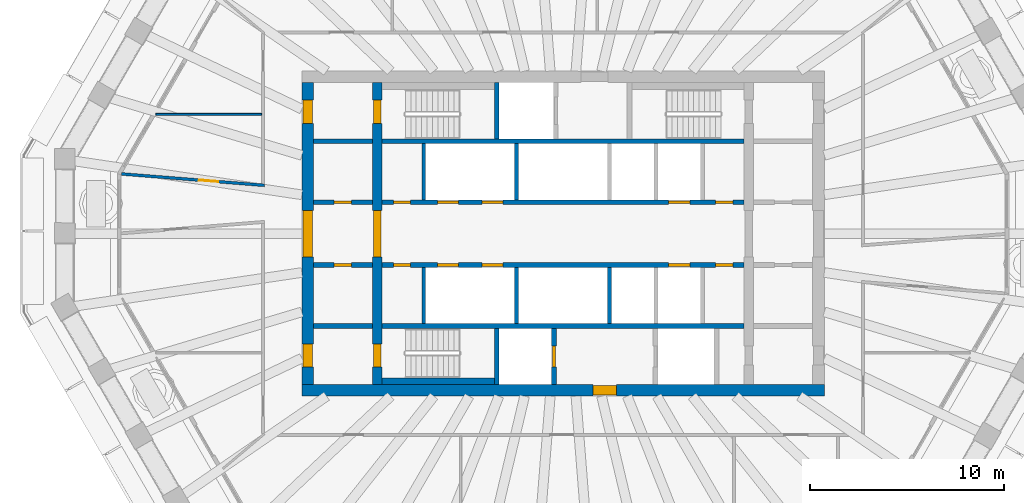
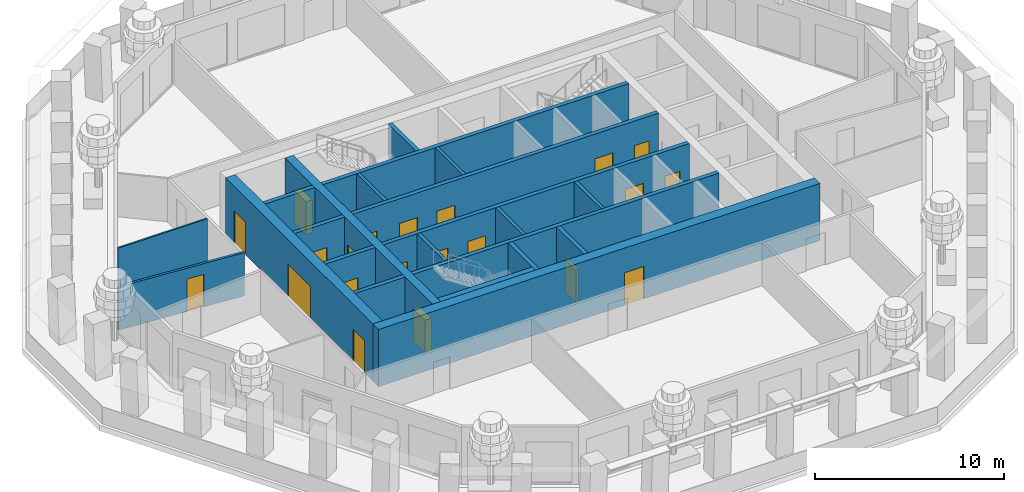
# One storey, part 4 of 12: 22 walls, 21 doors, 21 openings.
"""IFC4 building model written with IfcOpenShell, lengths in metres."""

from ifc_helpers import new_model, si_unit, direction, frame, frame_2d, origin, place, context, subcontext, project, spatial, rectangle, extrude, material, layer, layer_set, type_object, element, fill, save


model = new_model("IFC4")

# Units and contexts
model_context = context("Model", 3, precision=1e-05, world=origin(), true_north=direction((0.0, 1.0)))
body_context = subcontext(model_context, "Body", "Model", "MODEL_VIEW")
ifc_project = project(units=[si_unit("LENGTHUNIT", "METRE"), si_unit("AREAUNIT", "SQUARE_METRE"), si_unit("VOLUMEUNIT", "CUBIC_METRE"), si_unit("PLANEANGLEUNIT", "RADIAN"), si_unit("MASSUNIT", "GRAM", prefix="KILO")], contexts=[model_context])

# Site, building, storey
site_placement = place(None, origin())
site = spatial("IfcSite", under=ifc_project, at=site_placement, CompositionType="ELEMENT")
building_placement = place(site_placement, origin())
building = spatial("IfcBuilding", under=site, at=building_placement, Name="Frailejon Research Tower", CompositionType="ELEMENT")
storey_placement = place(building_placement, frame((0.0, 0.0, 211.39990234375)))
storey = spatial("IfcBuildingStorey", under=building, at=storey_placement, Name="L45", CompositionType="ELEMENT", Elevation=211.39990234375)

# Wall, openings, doors
ifc_material_1 = material(Name="Concrete C60/75", Category="concrete")
ifc_layer_1 = layer(ifc_material_1, 0.5)
ifc_layer_set_1 = layer_set([ifc_layer_1], Name="Core shear wall 500 C60/75")
wall_type_1 = type_object("IfcWallType", Name="Core shear wall 500 C60/75", PredefinedType="SHEAR", material=ifc_layer_set_1)
wall_1_placement = place(storey_placement, frame((-9.60009765625, -7.800048828125, 0.0), z_axis=(0.0, 0.0, 1.0), x_axis=(0.0, 1.0, 0.0)))
wall_1 = element("IfcWall", 1, at=wall_1_placement, inside=storey, type_object=wall_type_1, Name="Core shear wall", PredefinedType="SHEAR", context=body_context, shape_type="SweptSolid", body=[
    extrude(rectangle(XDim=15.60009765625, YDim=0.5, at=frame_2d((7.800048828125, 0.0))), origin(), (0.0, 0.0, 1.0), 3.7001953125),
])
opening_1_placement = place(wall_1_placement, frame((6.60009765625, 0.0, 0.0)))
opening_1 = element("IfcOpeningElement", 2, at=opening_1_placement, cuts=wall_1, Name="Opening D2", PredefinedType="OPENING", context=body_context, shape_type="SweptSolid", body=[
    extrude(rectangle(XDim=2.39990234375, YDim=2.10009765625, at=frame_2d((1.199951171875, 1.050048828125))), frame((0.0, 0.260009765625, 0.0), z_axis=(0.0, -1.0, 0.0), x_axis=(1.0, 0.0, 0.0)), (0.0, 0.0, 1.0), 0.52001953125),
])
opening_2_placement = place(wall_1_placement, frame((13.5, 0.0, 0.0)))
opening_2 = element("IfcOpeningElement", 3, at=opening_2_placement, cuts=wall_1, Name="Opening D1", PredefinedType="OPENING", context=body_context, shape_type="SweptSolid", body=[
    extrude(rectangle(XDim=1.199951171875, YDim=2.10009765625, at=frame_2d((0.60009765625, 1.050048828125))), frame((0.0, 0.260009765625, 0.0), z_axis=(0.0, -1.0, 0.0), x_axis=(1.0, 0.0, 0.0)), (0.0, 0.0, 1.0), 0.52001953125),
])
opening_3_placement = place(wall_1_placement, frame((0.89990234375, 0.0, 0.0)))
opening_3 = element("IfcOpeningElement", 4, at=opening_3_placement, cuts=wall_1, Name="Opening D1", PredefinedType="OPENING", context=body_context, shape_type="SweptSolid", body=[
    extrude(rectangle(XDim=1.199951171875, YDim=2.10009765625, at=frame_2d((0.60009765625, 1.050048828125))), frame((0.0, 0.260009765625, 0.0), z_axis=(0.0, -1.0, 0.0), x_axis=(1.0, 0.0, 0.0)), (0.0, 0.0, 1.0), 0.52001953125),
])
ifc_material_2 = material(Name="Steel", Category="steel")
door_type_1 = type_object("IfcDoorType", Name="Lobby double door", OperationType="DOUBLE_DOOR_SINGLE_SWING", PredefinedType="DOOR", material=ifc_material_2)
door_1_placement = place(opening_1_placement, origin())
door_1 = element("IfcDoor", 5, at=door_1_placement, inside=storey, type_object=door_type_1, Name="Lobby door", OperationType="DOUBLE_DOOR_SINGLE_SWING", OverallHeight=2.10009765625, OverallWidth=2.39990234375, PredefinedType="DOOR", context=body_context, shape_type="SweptSolid", body=[
    extrude(rectangle(XDim=2.39990234375, YDim=2.10009765625, at=frame_2d((1.199951171875, 1.050048828125))), frame((0.0, 0.199951171875, 0.0), z_axis=(0.0, -1.0, 0.0), x_axis=(1.0, 0.0, 0.0)), (0.0, 0.0, 1.0), 0.39990234375),
])
fill(opening_1, door_1)
ifc_material_3 = material(Name="Steel", Category="steel")
door_type_2 = type_object("IfcDoorType", Name="Stair door", OperationType="SINGLE_SWING_LEFT", PredefinedType="DOOR", material=ifc_material_3)
door_2_placement = place(opening_2_placement, origin())
door_2 = element("IfcDoor", 6, at=door_2_placement, inside=storey, type_object=door_type_2, Name="Stair door ST1", OperationType="SINGLE_SWING_RIGHT", OverallHeight=2.10009765625, OverallWidth=1.199951171875, PredefinedType="DOOR", context=body_context, shape_type="SweptSolid", body=[
    extrude(rectangle(XDim=1.199951171875, YDim=2.10009765625, at=frame_2d((0.60009765625, 1.050048828125))), frame((0.0, 0.199951171875, 0.0), z_axis=(0.0, -1.0, 0.0), x_axis=(1.0, 0.0, 0.0)), (0.0, 0.0, 1.0), 0.39990234375),
])
fill(opening_2, door_2)
door_3_placement = place(opening_3_placement, origin())
door_3 = element("IfcDoor", 7, at=door_3_placement, inside=storey, type_object=door_type_2, Name="Stair door ST2", OperationType="SINGLE_SWING_RIGHT", OverallHeight=2.10009765625, OverallWidth=1.199951171875, PredefinedType="DOOR", context=body_context, shape_type="SweptSolid", body=[
    extrude(rectangle(XDim=1.199951171875, YDim=2.10009765625, at=frame_2d((0.60009765625, 1.050048828125))), frame((0.0, 0.199951171875, 0.0), z_axis=(0.0, -1.0, 0.0), x_axis=(1.0, 0.0, 0.0)), (0.0, 0.0, 1.0), 0.39990234375),
])
fill(opening_3, door_3)

# Wall, opening, door
ifc_material_4 = material(Name="Concrete C60/75", Category="concrete")
ifc_layer_2 = layer(ifc_material_4, 0.60009765625)
ifc_layer_set_2 = layer_set([ifc_layer_2], Name="Core shear wall 600 C60/75")
wall_type_2 = type_object("IfcWallType", Name="Core shear wall 600 C60/75", PredefinedType="SHEAR", material=ifc_layer_set_2)
wall_2_placement = place(storey_placement, frame((-13.5, -8.10009765625, 0.0), z_axis=(0.0, 0.0, 1.0), x_axis=(1.0, 0.0, 0.0)))
wall_2 = element("IfcWall", 8, at=wall_2_placement, inside=storey, type_object=wall_type_2, Name="Core shear wall", PredefinedType="SHEAR", context=body_context, shape_type="SweptSolid", body=[
    extrude(rectangle(XDim=27.0, YDim=0.60009765625, at=frame_2d((13.5, 0.0))), origin(), (0.0, 0.0, 1.0), 3.7001953125),
])
opening_4_placement = place(wall_2_placement, frame((15.050048828125, 0.0, 0.0)))
opening_4 = element("IfcOpeningElement", 9, at=opening_4_placement, cuts=wall_2, Name="Opening D3", PredefinedType="OPENING", context=body_context, shape_type="SweptSolid", body=[
    extrude(rectangle(XDim=1.199951171875, YDim=2.10009765625, at=frame_2d((0.60009765625, 1.050048828125))), frame((0.0, 0.31005859375, 0.0), z_axis=(0.0, -1.0, 0.0), x_axis=(1.0, 0.0, 0.0)), (0.0, 0.0, 1.0), 0.6201171875),
])
ifc_material_5 = material(Name="Steel", Category="steel")
door_type_3 = type_object("IfcDoorType", Name="Firefighting lobby door", OperationType="SINGLE_SWING_LEFT", PredefinedType="DOOR", material=ifc_material_5)
door_4_placement = place(opening_4_placement, origin())
door_4 = element("IfcDoor", 10, at=door_4_placement, inside=storey, type_object=door_type_3, Name="Firefighting lobby door", OperationType="SINGLE_SWING_RIGHT", OverallHeight=2.10009765625, OverallWidth=1.199951171875, PredefinedType="DOOR", context=body_context, shape_type="SweptSolid", body=[
    extrude(rectangle(XDim=1.199951171875, YDim=2.10009765625, at=frame_2d((0.60009765625, 1.050048828125))), frame((0.0, 0.25, 0.0), z_axis=(0.0, -1.0, 0.0), x_axis=(1.0, 0.0, 0.0)), (0.0, 0.0, 1.0), 0.5),
])
fill(opening_4, door_4)

# Wall, openings, doors
wall_3_placement = place(storey_placement, frame((-13.199951171875, -7.800048828125, 0.0), z_axis=(0.0, 0.0, 1.0), x_axis=(0.0, 1.0, 0.0)))
wall_3 = element("IfcWall", 11, at=wall_3_placement, inside=storey, type_object=wall_type_2, Name="Core shear wall", PredefinedType="SHEAR", context=body_context, shape_type="SweptSolid", body=[
    extrude(rectangle(XDim=15.60009765625, YDim=0.60009765625, at=frame_2d((7.800048828125, 0.0))), origin(), (0.0, 0.0, 1.0), 3.7001953125),
])
opening_5_placement = place(wall_3_placement, frame((6.60009765625, 0.0, 0.0)))
opening_5 = element("IfcOpeningElement", 12, at=opening_5_placement, cuts=wall_3, Name="Opening D2", PredefinedType="OPENING", context=body_context, shape_type="SweptSolid", body=[
    extrude(rectangle(XDim=2.39990234375, YDim=2.10009765625, at=frame_2d((1.199951171875, 1.050048828125))), frame((0.0, 0.31005859375, 0.0), z_axis=(0.0, -1.0, 0.0), x_axis=(1.0, 0.0, 0.0)), (0.0, 0.0, 1.0), 0.6201171875),
])
opening_6_placement = place(wall_3_placement, frame((13.5, 0.0, 0.0)))
opening_6 = element("IfcOpeningElement", 13, at=opening_6_placement, cuts=wall_3, Name="Opening D7", PredefinedType="OPENING", context=body_context, shape_type="SweptSolid", body=[
    extrude(rectangle(XDim=1.199951171875, YDim=2.10009765625, at=frame_2d((0.60009765625, 1.050048828125))), frame((0.0, 0.31005859375, 0.0), z_axis=(0.0, -1.0, 0.0), x_axis=(1.0, 0.0, 0.0)), (0.0, 0.0, 1.0), 0.6201171875),
])
opening_7_placement = place(wall_3_placement, frame((0.89990234375, 0.0, 0.0)))
opening_7 = element("IfcOpeningElement", 14, at=opening_7_placement, cuts=wall_3, Name="Opening D7", PredefinedType="OPENING", context=body_context, shape_type="SweptSolid", body=[
    extrude(rectangle(XDim=1.199951171875, YDim=2.10009765625, at=frame_2d((0.60009765625, 1.050048828125))), frame((0.0, 0.31005859375, 0.0), z_axis=(0.0, -1.0, 0.0), x_axis=(1.0, 0.0, 0.0)), (0.0, 0.0, 1.0), 0.6201171875),
])
door_5_placement = place(opening_5_placement, origin())
door_5 = element("IfcDoor", 15, at=door_5_placement, inside=storey, type_object=door_type_1, Name="Lobby door", OperationType="DOUBLE_DOOR_SINGLE_SWING", OverallHeight=2.10009765625, OverallWidth=2.39990234375, PredefinedType="DOOR", context=body_context, shape_type="SweptSolid", body=[
    extrude(rectangle(XDim=2.39990234375, YDim=2.10009765625, at=frame_2d((1.199951171875, 1.050048828125))), frame((0.0, 0.25, 0.0), z_axis=(0.0, -1.0, 0.0), x_axis=(1.0, 0.0, 0.0)), (0.0, 0.0, 1.0), 0.5),
])
fill(opening_5, door_5)
ifc_material_6 = material(Name="Steel", Category="steel")
door_type_4 = type_object("IfcDoorType", Name="Stair exit door", OperationType="SINGLE_SWING_LEFT", PredefinedType="DOOR", material=ifc_material_6)
door_6_placement = place(opening_6_placement, origin())
door_6 = element("IfcDoor", 16, at=door_6_placement, inside=storey, type_object=door_type_4, Name="Stair exit door ST1", OperationType="SINGLE_SWING_LEFT", OverallHeight=2.10009765625, OverallWidth=1.199951171875, PredefinedType="DOOR", context=body_context, shape_type="SweptSolid", body=[
    extrude(rectangle(XDim=1.199951171875, YDim=2.10009765625, at=frame_2d((0.60009765625, 1.050048828125))), frame((0.0, 0.25, 0.0), z_axis=(0.0, -1.0, 0.0), x_axis=(1.0, 0.0, 0.0)), (0.0, 0.0, 1.0), 0.5),
])
fill(opening_6, door_6)
door_7_placement = place(opening_7_placement, origin())
door_7 = element("IfcDoor", 17, at=door_7_placement, inside=storey, type_object=door_type_4, Name="Stair exit door ST2", OperationType="SINGLE_SWING_LEFT", OverallHeight=2.10009765625, OverallWidth=1.199951171875, PredefinedType="DOOR", context=body_context, shape_type="SweptSolid", body=[
    extrude(rectangle(XDim=1.199951171875, YDim=2.10009765625, at=frame_2d((0.60009765625, 1.050048828125))), frame((0.0, 0.25, 0.0), z_axis=(0.0, -1.0, 0.0), x_axis=(1.0, 0.0, 0.0)), (0.0, 0.0, 1.0), 0.5),
])
fill(opening_7, door_7)

# Wall, opening, door
ifc_material_7 = material(Name="Gypsum board and masonry partition", Category="masonry")
ifc_layer_3 = layer(ifc_material_7, 0.14990234375)
ifc_layer_set_3 = layer_set([ifc_layer_3], Name="Corridor wall EI 60, gypsum on steel studs 150")
wall_type_3 = type_object("IfcWallType", Name="Corridor wall EI 60, gypsum on steel studs 150", PredefinedType="PARTITIONING", material=ifc_layer_set_3)
wall_4_placement = place(storey_placement, frame((-22.813720703125, 3.085693359375, 0.0), z_axis=(0.0, 0.0, 1.0), x_axis=(0.996825847875, -0.079612995219, 0.0)))
wall_4 = element("IfcWall", 18, at=wall_4_placement, inside=storey, type_object=wall_type_3, Name="T:IW:L45:007", PredefinedType="PARTITIONING", context=body_context, shape_type="SweptSolid", body=[
    extrude(rectangle(XDim=7.411865234375, YDim=0.14990234375, at=frame_2d((3.7060546875, 0.0))), origin(), (0.0, 0.0, 1.0), 2.800048828125),
])
opening_8_placement = place(wall_4_placement, frame((4.013916015625, 0.0, 0.0)))
opening_8 = element("IfcOpeningElement", 19, at=opening_8_placement, cuts=wall_4, Name="Opening D1940", PredefinedType="OPENING", context=body_context, shape_type="SweptSolid", body=[
    extrude(rectangle(XDim=1.0, YDim=2.10009765625, at=frame_2d((0.5, 1.050048828125))), frame((0.0, 0.0849609375, 0.0), z_axis=(0.0, -1.0, 0.0), x_axis=(1.0, 0.0, 0.0)), (0.0, 0.0, 1.0), 0.169921875),
])
ifc_material_8 = material(Name="Timber door leaf", Category="wood")
door_type_5 = type_object("IfcDoorType", Name="Door single leaf, timber, steel frame 1000", OperationType="NOTDEFINED", PredefinedType="DOOR", material=ifc_material_8)
door_8_placement = place(opening_8_placement, origin())
door_8 = element("IfcDoor", 20, at=door_8_placement, inside=storey, type_object=door_type_5, Name="D1940", OperationType="SINGLE_SWING_RIGHT", OverallHeight=2.10009765625, OverallWidth=1.0, PredefinedType="DOOR", context=body_context, shape_type="SweptSolid", body=[
    extrude(rectangle(XDim=1.0, YDim=2.10009765625, at=frame_2d((0.5, 1.050048828125))), frame((0.0, 0.02490234375, 0.0), z_axis=(0.0, -1.0, 0.0), x_axis=(1.0, 0.0, 0.0)), (0.0, 0.0, 1.0), 0.050048828125),
])
fill(opening_8, door_8)

# Walls
ifc_material_9 = material(Name="Gypsum board and masonry partition", Category="masonry")
ifc_layer_4 = layer(ifc_material_9, 0.10009765625)
ifc_layer_set_4 = layer_set([ifc_layer_4], Name="Partition, gypsum on steel studs 100")
wall_type_4 = type_object("IfcWallType", Name="Partition, gypsum on steel studs 100", PredefinedType="PARTITIONING", material=ifc_layer_set_4)
wall_5_placement = place(storey_placement, frame((-21.03759765625, 6.162109375, 0.0), z_axis=(0.0, 0.0, 1.0), x_axis=(1.0, 0.0, 0.0)))
element("IfcWall", 21, at=wall_5_placement, inside=storey, type_object=wall_type_4, Name="T:IW:L45:017", PredefinedType="PARTITIONING", context=body_context, shape_type="SweptSolid", body=[
    extrude(rectangle(XDim=5.462646484375, YDim=0.10009765625, at=frame_2d((2.7314453125, 0.0))), origin(), (0.0, 0.0, 1.0), 2.800048828125),
])
ifc_material_10 = material(Name="Concrete C60/75", Category="concrete")
ifc_layer_5 = layer(ifc_material_10, 0.199951171875)
ifc_layer_set_5 = layer_set([ifc_layer_5], Name="Shaft wall 200 C60/75")
wall_type_5 = type_object("IfcWallType", Name="Shaft wall 200 C60/75", PredefinedType="SOLIDWALL", material=ifc_layer_set_5)
for number, where, z_axis, x_axis, name in (
    (22, (-7.199951171875, 1.75, 0.0), (0.0, 0.0, 1.0), (0.0, 1.0, 0.0), "Shaft wall"),
    (23, (-2.39990234375, 1.75, 0.0), (0.0, 0.0, 1.0), (0.0, 1.0, 0.0), "Shaft wall"),
    (24, (-7.199951171875, -4.64990234375, 0.0), (0.0, 0.0, 1.0), (0.0, 1.0, 0.0), "Shaft wall"),
    (25, (-2.39990234375, -4.64990234375, 0.0), (0.0, 0.0, 1.0), (0.0, 1.0, 0.0), "Shaft wall"),
    (26, (2.39990234375, -4.64990234375, 0.0), (0.0, 0.0, 1.0), (0.0, 1.0, 0.0), "Shaft wall"),
):
    element("IfcWall", number, at=place(storey_placement, frame(where, z_axis=z_axis, x_axis=x_axis)), inside=storey, type_object=wall_type_5, Name=name, PredefinedType="SOLIDWALL", context=body_context, shape_type="SweptSolid", body=[
        extrude(rectangle(XDim=2.89990234375, YDim=0.199951171875, at=frame_2d((1.449951171875, 0.0))), origin(), (0.0, 0.0, 1.0), 3.7001953125),
    ])

# Wall, opening, door
ifc_material_11 = material(Name="Concrete C60/75", Category="concrete")
ifc_layer_6 = layer(ifc_material_11, 0.25)
ifc_layer_set_6 = layer_set([ifc_layer_6], Name="Shaft wall 250 C60/75")
wall_type_6 = type_object("IfcWallType", Name="Shaft wall 250 C60/75", PredefinedType="SOLIDWALL", material=ifc_layer_set_6)
wall_6_placement = place(storey_placement, frame((-12.89990234375, 1.625, 0.0), z_axis=(0.0, 0.0, 1.0), x_axis=(1.0, 0.0, 0.0)))
wall_6 = element("IfcWall", 27, at=wall_6_placement, inside=storey, type_object=wall_type_6, Name="Shaft wall", PredefinedType="SOLIDWALL", context=body_context, shape_type="SweptSolid", body=[
    extrude(rectangle(XDim=3.0498046875, YDim=0.25, at=frame_2d((1.52490234375, 0.0))), origin(), (0.0, 0.0, 1.0), 3.7001953125),
])
opening_9_placement = place(wall_6_placement, frame((1.074951171875, 0.0, 0.0)))
opening_9 = element("IfcOpeningElement", 28, at=opening_9_placement, cuts=wall_6, Name="Opening D8", PredefinedType="OPENING", context=body_context, shape_type="SweptSolid", body=[
    extrude(rectangle(XDim=0.89990234375, YDim=2.10009765625, at=frame_2d((0.449951171875, 1.050048828125))), frame((0.0, 0.135009765625, 0.0), z_axis=(0.0, -1.0, 0.0), x_axis=(1.0, 0.0, 0.0)), (0.0, 0.0, 1.0), 0.27001953125),
])
ifc_material_12 = material(Name="Steel", Category="steel")
door_type_6 = type_object("IfcDoorType", Name="Core room door", OperationType="SINGLE_SWING_LEFT", PredefinedType="DOOR", material=ifc_material_12)
door_9_placement = place(opening_9_placement, origin())
door_9 = element("IfcDoor", 29, at=door_9_placement, inside=storey, type_object=door_type_6, Name="Room door", OperationType="SINGLE_SWING_RIGHT", OverallHeight=2.10009765625, OverallWidth=0.89990234375, PredefinedType="DOOR", context=body_context, shape_type="SweptSolid", body=[
    extrude(rectangle(XDim=0.89990234375, YDim=2.10009765625, at=frame_2d((0.449951171875, 1.050048828125))), frame((0.0, 0.074951171875, 0.0), z_axis=(0.0, -1.0, 0.0), x_axis=(1.0, 0.0, 0.0)), (0.0, 0.0, 1.0), 0.14990234375),
])
fill(opening_9, door_9)

# Wall, openings, doors
wall_7_placement = place(storey_placement, frame((-9.35009765625, 1.625, 0.0), z_axis=(0.0, 0.0, 1.0), x_axis=(1.0, 0.0, 0.0)))
wall_7 = element("IfcWall", 30, at=wall_7_placement, inside=storey, type_object=wall_type_6, Name="Shaft wall", PredefinedType="SOLIDWALL", context=body_context, shape_type="SweptSolid", body=[
    extrude(rectangle(XDim=18.7001953125, YDim=0.25, at=frame_2d((9.35009765625, 0.0))), origin(), (0.0, 0.0, 1.0), 3.7001953125),
])
opening_10_placement = place(wall_7_placement, frame((2.85009765625, 0.0, 0.0)))
opening_10 = element("IfcOpeningElement", 31, at=opening_10_placement, cuts=wall_7, Name="Opening LD", PredefinedType="OPENING", context=body_context, shape_type="SweptSolid", body=[
    extrude(rectangle(XDim=1.10009765625, YDim=2.10009765625, at=frame_2d((0.550048828125, 1.050048828125))), frame((0.0, 0.135009765625, 0.0), z_axis=(0.0, -1.0, 0.0), x_axis=(1.0, 0.0, 0.0)), (0.0, 0.0, 1.0), 0.27001953125),
])
opening_11_placement = place(wall_7_placement, frame((5.14990234375, 0.0, 0.0)))
opening_11 = element("IfcOpeningElement", 32, at=opening_11_placement, cuts=wall_7, Name="Opening LD", PredefinedType="OPENING", context=body_context, shape_type="SweptSolid", body=[
    extrude(rectangle(XDim=1.10009765625, YDim=2.10009765625, at=frame_2d((0.550048828125, 1.050048828125))), frame((0.0, 0.135009765625, 0.0), z_axis=(0.0, -1.0, 0.0), x_axis=(1.0, 0.0, 0.0)), (0.0, 0.0, 1.0), 0.27001953125),
])
opening_12_placement = place(wall_7_placement, frame((14.800048828125, 0.0, 0.0)))
opening_12 = element("IfcOpeningElement", 33, at=opening_12_placement, cuts=wall_7, Name="Opening LD", PredefinedType="OPENING", context=body_context, shape_type="SweptSolid", body=[
    extrude(rectangle(XDim=1.10009765625, YDim=2.10009765625, at=frame_2d((0.550048828125, 1.050048828125))), frame((0.0, 0.135009765625, 0.0), z_axis=(0.0, -1.0, 0.0), x_axis=(1.0, 0.0, 0.0)), (0.0, 0.0, 1.0), 0.27001953125),
])
opening_13_placement = place(wall_7_placement, frame((0.574951171875, 0.0, 0.0)))
opening_13 = element("IfcOpeningElement", 34, at=opening_13_placement, cuts=wall_7, Name="Opening D8", PredefinedType="OPENING", context=body_context, shape_type="SweptSolid", body=[
    extrude(rectangle(XDim=0.89990234375, YDim=2.10009765625, at=frame_2d((0.449951171875, 1.050048828125))), frame((0.0, 0.135009765625, 0.0), z_axis=(0.0, -1.0, 0.0), x_axis=(1.0, 0.0, 0.0)), (0.0, 0.0, 1.0), 0.27001953125),
])
opening_14_placement = place(wall_7_placement, frame((17.22509765625, 0.0, 0.0)))
opening_14 = element("IfcOpeningElement", 35, at=opening_14_placement, cuts=wall_7, Name="Opening D8", PredefinedType="OPENING", context=body_context, shape_type="SweptSolid", body=[
    extrude(rectangle(XDim=0.89990234375, YDim=2.10009765625, at=frame_2d((0.449951171875, 1.050048828125))), frame((0.0, 0.135009765625, 0.0), z_axis=(0.0, -1.0, 0.0), x_axis=(1.0, 0.0, 0.0)), (0.0, 0.0, 1.0), 0.27001953125),
])
door_10_placement = place(opening_13_placement, origin())
door_10 = element("IfcDoor", 36, at=door_10_placement, inside=storey, type_object=door_type_6, Name="Room door", OperationType="SINGLE_SWING_LEFT", OverallHeight=2.10009765625, OverallWidth=0.89990234375, PredefinedType="DOOR", context=body_context, shape_type="SweptSolid", body=[
    extrude(rectangle(XDim=0.89990234375, YDim=2.10009765625, at=frame_2d((0.449951171875, 1.050048828125))), frame((0.0, 0.074951171875, 0.0), z_axis=(0.0, -1.0, 0.0), x_axis=(1.0, 0.0, 0.0)), (0.0, 0.0, 1.0), 0.14990234375),
])
fill(opening_13, door_10)
door_11_placement = place(opening_14_placement, origin())
door_11 = element("IfcDoor", 37, at=door_11_placement, inside=storey, type_object=door_type_6, Name="Room door", OperationType="SINGLE_SWING_RIGHT", OverallHeight=2.10009765625, OverallWidth=0.89990234375, PredefinedType="DOOR", context=body_context, shape_type="SweptSolid", body=[
    extrude(rectangle(XDim=0.89990234375, YDim=2.10009765625, at=frame_2d((0.449951171875, 1.050048828125))), frame((0.0, 0.074951171875, 0.0), z_axis=(0.0, -1.0, 0.0), x_axis=(1.0, 0.0, 0.0)), (0.0, 0.0, 1.0), 0.14990234375),
])
fill(opening_14, door_11)
ifc_material_13 = material(Name="Steel", Category="steel")
door_type_7 = type_object("IfcDoorType", Name="Lift landing door", OperationType="DOUBLE_DOOR_SLIDING", PredefinedType="DOOR", material=ifc_material_13)
door_12_placement = place(opening_10_placement, origin())
door_12 = element("IfcDoor", 38, at=door_12_placement, inside=storey, type_object=door_type_7, Name="Lift landing door", OperationType="DOUBLE_DOOR_SLIDING", OverallHeight=2.10009765625, OverallWidth=1.10009765625, PredefinedType="DOOR", context=body_context, shape_type="SweptSolid", body=[
    extrude(rectangle(XDim=1.10009765625, YDim=2.10009765625, at=frame_2d((0.550048828125, 1.050048828125))), frame((0.0, 0.074951171875, 0.0), z_axis=(0.0, -1.0, 0.0), x_axis=(1.0, 0.0, 0.0)), (0.0, 0.0, 1.0), 0.14990234375),
])
fill(opening_10, door_12)
door_13_placement = place(opening_11_placement, origin())
door_13 = element("IfcDoor", 39, at=door_13_placement, inside=storey, type_object=door_type_7, Name="Lift landing door", OperationType="DOUBLE_DOOR_SLIDING", OverallHeight=2.10009765625, OverallWidth=1.10009765625, PredefinedType="DOOR", context=body_context, shape_type="SweptSolid", body=[
    extrude(rectangle(XDim=1.10009765625, YDim=2.10009765625, at=frame_2d((0.550048828125, 1.050048828125))), frame((0.0, 0.074951171875, 0.0), z_axis=(0.0, -1.0, 0.0), x_axis=(1.0, 0.0, 0.0)), (0.0, 0.0, 1.0), 0.14990234375),
])
fill(opening_11, door_13)
door_14_placement = place(opening_12_placement, origin())
door_14 = element("IfcDoor", 40, at=door_14_placement, inside=storey, type_object=door_type_7, Name="Lift landing door", OperationType="DOUBLE_DOOR_SLIDING", OverallHeight=2.10009765625, OverallWidth=1.10009765625, PredefinedType="DOOR", context=body_context, shape_type="SweptSolid", body=[
    extrude(rectangle(XDim=1.10009765625, YDim=2.10009765625, at=frame_2d((0.550048828125, 1.050048828125))), frame((0.0, 0.074951171875, 0.0), z_axis=(0.0, -1.0, 0.0), x_axis=(1.0, 0.0, 0.0)), (0.0, 0.0, 1.0), 0.14990234375),
])
fill(opening_12, door_14)

# Walls
wall_8_placement = place(storey_placement, frame((-12.89990234375, 4.77490234375, 0.0), z_axis=(0.0, 0.0, 1.0), x_axis=(1.0, 0.0, 0.0)))
element("IfcWall", 41, at=wall_8_placement, inside=storey, type_object=wall_type_6, Name="Shaft wall", PredefinedType="SOLIDWALL", context=body_context, shape_type="SweptSolid", body=[
    extrude(rectangle(XDim=3.0498046875, YDim=0.25, at=frame_2d((1.52490234375, 0.0))), origin(), (0.0, 0.0, 1.0), 3.7001953125),
])
wall_9_placement = place(storey_placement, frame((-9.35009765625, 4.77490234375, 0.0), z_axis=(0.0, 0.0, 1.0), x_axis=(1.0, 0.0, 0.0)))
element("IfcWall", 42, at=wall_9_placement, inside=storey, type_object=wall_type_6, Name="Shaft wall", PredefinedType="SOLIDWALL", context=body_context, shape_type="SweptSolid", body=[
    extrude(rectangle(XDim=18.7001953125, YDim=0.25, at=frame_2d((9.35009765625, 0.0))), origin(), (0.0, 0.0, 1.0), 3.7001953125),
])

# Wall, opening, door
wall_10_placement = place(storey_placement, frame((-12.89990234375, -1.625, 0.0), z_axis=(0.0, 0.0, 1.0), x_axis=(1.0, 0.0, 0.0)))
wall_10 = element("IfcWall", 43, at=wall_10_placement, inside=storey, type_object=wall_type_6, Name="Shaft wall", PredefinedType="SOLIDWALL", context=body_context, shape_type="SweptSolid", body=[
    extrude(rectangle(XDim=3.0498046875, YDim=0.25, at=frame_2d((1.52490234375, 0.0))), origin(), (0.0, 0.0, 1.0), 3.7001953125),
])
opening_15_placement = place(wall_10_placement, frame((1.074951171875, 0.0, 0.0)))
opening_15 = element("IfcOpeningElement", 44, at=opening_15_placement, cuts=wall_10, Name="Opening D8", PredefinedType="OPENING", context=body_context, shape_type="SweptSolid", body=[
    extrude(rectangle(XDim=0.89990234375, YDim=2.10009765625, at=frame_2d((0.449951171875, 1.050048828125))), frame((0.0, 0.135009765625, 0.0), z_axis=(0.0, -1.0, 0.0), x_axis=(1.0, 0.0, 0.0)), (0.0, 0.0, 1.0), 0.27001953125),
])
door_15_placement = place(opening_15_placement, origin())
door_15 = element("IfcDoor", 45, at=door_15_placement, inside=storey, type_object=door_type_6, Name="Room door", OperationType="SINGLE_SWING_RIGHT", OverallHeight=2.10009765625, OverallWidth=0.89990234375, PredefinedType="DOOR", context=body_context, shape_type="SweptSolid", body=[
    extrude(rectangle(XDim=0.89990234375, YDim=2.10009765625, at=frame_2d((0.449951171875, 1.050048828125))), frame((0.0, 0.074951171875, 0.0), z_axis=(0.0, -1.0, 0.0), x_axis=(1.0, 0.0, 0.0)), (0.0, 0.0, 1.0), 0.14990234375),
])
fill(opening_15, door_15)

# Wall, openings, doors
wall_11_placement = place(storey_placement, frame((-9.35009765625, -1.625, 0.0), z_axis=(0.0, 0.0, 1.0), x_axis=(1.0, 0.0, 0.0)))
wall_11 = element("IfcWall", 46, at=wall_11_placement, inside=storey, type_object=wall_type_6, Name="Shaft wall", PredefinedType="SOLIDWALL", context=body_context, shape_type="SweptSolid", body=[
    extrude(rectangle(XDim=18.7001953125, YDim=0.25, at=frame_2d((9.35009765625, 0.0))), origin(), (0.0, 0.0, 1.0), 3.7001953125),
])
opening_16_placement = place(wall_11_placement, frame((2.85009765625, 0.0, 0.0)))
opening_16 = element("IfcOpeningElement", 47, at=opening_16_placement, cuts=wall_11, Name="Opening LD", PredefinedType="OPENING", context=body_context, shape_type="SweptSolid", body=[
    extrude(rectangle(XDim=1.10009765625, YDim=2.10009765625, at=frame_2d((0.550048828125, 1.050048828125))), frame((0.0, 0.135009765625, 0.0), z_axis=(0.0, -1.0, 0.0), x_axis=(1.0, 0.0, 0.0)), (0.0, 0.0, 1.0), 0.27001953125),
])
opening_17_placement = place(wall_11_placement, frame((5.14990234375, 0.0, 0.0)))
opening_17 = element("IfcOpeningElement", 48, at=opening_17_placement, cuts=wall_11, Name="Opening LD", PredefinedType="OPENING", context=body_context, shape_type="SweptSolid", body=[
    extrude(rectangle(XDim=1.10009765625, YDim=2.10009765625, at=frame_2d((0.550048828125, 1.050048828125))), frame((0.0, 0.135009765625, 0.0), z_axis=(0.0, -1.0, 0.0), x_axis=(1.0, 0.0, 0.0)), (0.0, 0.0, 1.0), 0.27001953125),
])
opening_18_placement = place(wall_11_placement, frame((14.800048828125, 0.0, 0.0)))
opening_18 = element("IfcOpeningElement", 49, at=opening_18_placement, cuts=wall_11, Name="Opening LD", PredefinedType="OPENING", context=body_context, shape_type="SweptSolid", body=[
    extrude(rectangle(XDim=1.10009765625, YDim=2.10009765625, at=frame_2d((0.550048828125, 1.050048828125))), frame((0.0, 0.135009765625, 0.0), z_axis=(0.0, -1.0, 0.0), x_axis=(1.0, 0.0, 0.0)), (0.0, 0.0, 1.0), 0.27001953125),
])
opening_19_placement = place(wall_11_placement, frame((0.574951171875, 0.0, 0.0)))
opening_19 = element("IfcOpeningElement", 50, at=opening_19_placement, cuts=wall_11, Name="Opening D8", PredefinedType="OPENING", context=body_context, shape_type="SweptSolid", body=[
    extrude(rectangle(XDim=0.89990234375, YDim=2.10009765625, at=frame_2d((0.449951171875, 1.050048828125))), frame((0.0, 0.135009765625, 0.0), z_axis=(0.0, -1.0, 0.0), x_axis=(1.0, 0.0, 0.0)), (0.0, 0.0, 1.0), 0.27001953125),
])
opening_20_placement = place(wall_11_placement, frame((17.22509765625, 0.0, 0.0)))
opening_20 = element("IfcOpeningElement", 51, at=opening_20_placement, cuts=wall_11, Name="Opening D8", PredefinedType="OPENING", context=body_context, shape_type="SweptSolid", body=[
    extrude(rectangle(XDim=0.89990234375, YDim=2.10009765625, at=frame_2d((0.449951171875, 1.050048828125))), frame((0.0, 0.135009765625, 0.0), z_axis=(0.0, -1.0, 0.0), x_axis=(1.0, 0.0, 0.0)), (0.0, 0.0, 1.0), 0.27001953125),
])
door_16_placement = place(opening_19_placement, origin())
door_16 = element("IfcDoor", 52, at=door_16_placement, inside=storey, type_object=door_type_6, Name="Room door", OperationType="SINGLE_SWING_LEFT", OverallHeight=2.10009765625, OverallWidth=0.89990234375, PredefinedType="DOOR", context=body_context, shape_type="SweptSolid", body=[
    extrude(rectangle(XDim=0.89990234375, YDim=2.10009765625, at=frame_2d((0.449951171875, 1.050048828125))), frame((0.0, 0.074951171875, 0.0), z_axis=(0.0, -1.0, 0.0), x_axis=(1.0, 0.0, 0.0)), (0.0, 0.0, 1.0), 0.14990234375),
])
fill(opening_19, door_16)
door_17_placement = place(opening_20_placement, origin())
door_17 = element("IfcDoor", 53, at=door_17_placement, inside=storey, type_object=door_type_6, Name="Room door", OperationType="SINGLE_SWING_RIGHT", OverallHeight=2.10009765625, OverallWidth=0.89990234375, PredefinedType="DOOR", context=body_context, shape_type="SweptSolid", body=[
    extrude(rectangle(XDim=0.89990234375, YDim=2.10009765625, at=frame_2d((0.449951171875, 1.050048828125))), frame((0.0, 0.074951171875, 0.0), z_axis=(0.0, -1.0, 0.0), x_axis=(1.0, 0.0, 0.0)), (0.0, 0.0, 1.0), 0.14990234375),
])
fill(opening_20, door_17)
door_18_placement = place(opening_16_placement, origin())
door_18 = element("IfcDoor", 54, at=door_18_placement, inside=storey, type_object=door_type_7, Name="Lift landing door", OperationType="DOUBLE_DOOR_SLIDING", OverallHeight=2.10009765625, OverallWidth=1.10009765625, PredefinedType="DOOR", context=body_context, shape_type="SweptSolid", body=[
    extrude(rectangle(XDim=1.10009765625, YDim=2.10009765625, at=frame_2d((0.550048828125, 1.050048828125))), frame((0.0, 0.074951171875, 0.0), z_axis=(0.0, -1.0, 0.0), x_axis=(1.0, 0.0, 0.0)), (0.0, 0.0, 1.0), 0.14990234375),
])
fill(opening_16, door_18)
door_19_placement = place(opening_17_placement, origin())
door_19 = element("IfcDoor", 55, at=door_19_placement, inside=storey, type_object=door_type_7, Name="Lift landing door", OperationType="DOUBLE_DOOR_SLIDING", OverallHeight=2.10009765625, OverallWidth=1.10009765625, PredefinedType="DOOR", context=body_context, shape_type="SweptSolid", body=[
    extrude(rectangle(XDim=1.10009765625, YDim=2.10009765625, at=frame_2d((0.550048828125, 1.050048828125))), frame((0.0, 0.074951171875, 0.0), z_axis=(0.0, -1.0, 0.0), x_axis=(1.0, 0.0, 0.0)), (0.0, 0.0, 1.0), 0.14990234375),
])
fill(opening_17, door_19)
door_20_placement = place(opening_18_placement, origin())
door_20 = element("IfcDoor", 56, at=door_20_placement, inside=storey, type_object=door_type_7, Name="Lift landing door", OperationType="DOUBLE_DOOR_SLIDING", OverallHeight=2.10009765625, OverallWidth=1.10009765625, PredefinedType="DOOR", context=body_context, shape_type="SweptSolid", body=[
    extrude(rectangle(XDim=1.10009765625, YDim=2.10009765625, at=frame_2d((0.550048828125, 1.050048828125))), frame((0.0, 0.074951171875, 0.0), z_axis=(0.0, -1.0, 0.0), x_axis=(1.0, 0.0, 0.0)), (0.0, 0.0, 1.0), 0.14990234375),
])
fill(opening_18, door_20)

# Walls
wall_12_placement = place(storey_placement, frame((-12.89990234375, -4.77490234375, 0.0), z_axis=(0.0, 0.0, 1.0), x_axis=(1.0, 0.0, 0.0)))
element("IfcWall", 57, at=wall_12_placement, inside=storey, type_object=wall_type_6, Name="Shaft wall", PredefinedType="SOLIDWALL", context=body_context, shape_type="SweptSolid", body=[
    extrude(rectangle(XDim=3.0498046875, YDim=0.25, at=frame_2d((1.52490234375, 0.0))), origin(), (0.0, 0.0, 1.0), 3.7001953125),
])
wall_13_placement = place(storey_placement, frame((-9.35009765625, -4.77490234375, 0.0), z_axis=(0.0, 0.0, 1.0), x_axis=(1.0, 0.0, 0.0)))
element("IfcWall", 58, at=wall_13_placement, inside=storey, type_object=wall_type_6, Name="Shaft wall", PredefinedType="SOLIDWALL", context=body_context, shape_type="SweptSolid", body=[
    extrude(rectangle(XDim=18.7001953125, YDim=0.25, at=frame_2d((9.35009765625, 0.0))), origin(), (0.0, 0.0, 1.0), 3.7001953125),
])
for number, where, z_axis, x_axis, name in (
    (59, (-3.425048828125, 4.89990234375, 0.0), (0.0, 0.0, 1.0), (0.0, 1.0, 0.0), "Shaft wall"),
    (60, (-3.425048828125, -7.800048828125, 0.0), (0.0, 0.0, 1.0), (0.0, 1.0, 0.0), "Shaft wall"),
):
    element("IfcWall", number, at=place(storey_placement, frame(where, z_axis=z_axis, x_axis=x_axis)), inside=storey, type_object=wall_type_6, Name=name, PredefinedType="SOLIDWALL", context=body_context, shape_type="SweptSolid", body=[
        extrude(rectangle(XDim=2.900146484375, YDim=0.25, at=frame_2d((1.4501953125, 0.0))), origin(), (0.0, 0.0, 1.0), 3.7001953125),
    ])

# Wall, opening, door
wall_14_placement = place(storey_placement, frame((-0.47509765625, -7.800048828125, 0.0), z_axis=(0.0, 0.0, 1.0), x_axis=(0.0, 1.0, 0.0)))
wall_14 = element("IfcWall", 61, at=wall_14_placement, inside=storey, type_object=wall_type_6, Name="Shaft wall", PredefinedType="SOLIDWALL", context=body_context, shape_type="SweptSolid", body=[
    extrude(rectangle(XDim=2.900146484375, YDim=0.25, at=frame_2d((1.4501953125, 0.0))), origin(), (0.0, 0.0, 1.0), 3.7001953125),
])
opening_21_placement = place(wall_14_placement, frame((0.89990234375, 0.0, 0.0)))
opening_21 = element("IfcOpeningElement", 62, at=opening_21_placement, cuts=wall_14, Name="Opening LD", PredefinedType="OPENING", context=body_context, shape_type="SweptSolid", body=[
    extrude(rectangle(XDim=1.10009765625, YDim=2.10009765625, at=frame_2d((0.550048828125, 1.050048828125))), frame((0.0, 0.135009765625, 0.0), z_axis=(0.0, -1.0, 0.0), x_axis=(1.0, 0.0, 0.0)), (0.0, 0.0, 1.0), 0.27001953125),
])
door_21_placement = place(opening_21_placement, origin())
door_21 = element("IfcDoor", 63, at=door_21_placement, inside=storey, type_object=door_type_7, Name="Lift landing door", OperationType="DOUBLE_DOOR_SLIDING", OverallHeight=2.10009765625, OverallWidth=1.10009765625, PredefinedType="DOOR", context=body_context, shape_type="SweptSolid", body=[
    extrude(rectangle(XDim=1.10009765625, YDim=2.10009765625, at=frame_2d((0.550048828125, 1.050048828125))), frame((0.0, 0.074951171875, 0.0), z_axis=(0.0, -1.0, 0.0), x_axis=(1.0, 0.0, 0.0)), (0.0, 0.0, 1.0), 0.14990234375),
])
fill(opening_21, door_21)

# Wall
ifc_material_14 = material(Name="Concrete C60/75", Category="concrete")
ifc_layer_7 = layer(ifc_material_14, 0.35009765625)
ifc_layer_set_7 = layer_set([ifc_layer_7], Name="Shaft wall 350 C60/75")
wall_type_7 = type_object("IfcWallType", Name="Shaft wall 350 C60/75", PredefinedType="SOLIDWALL", material=ifc_layer_set_7)
wall_15_placement = place(storey_placement, frame((-9.35009765625, -7.625, 0.0), z_axis=(0.0, 0.0, 1.0), x_axis=(1.0, 0.0, 0.0)))
element("IfcWall", 64, at=wall_15_placement, inside=storey, type_object=wall_type_7, Name="Shaft wall", PredefinedType="SOLIDWALL", context=body_context, shape_type="SweptSolid", body=[
    extrude(rectangle(XDim=5.800048828125, YDim=0.35009765625, at=frame_2d((2.89990234375, 0.0))), origin(), (0.0, 0.0, 1.0), 3.7001953125),
])

save(model, "model.ifc")
